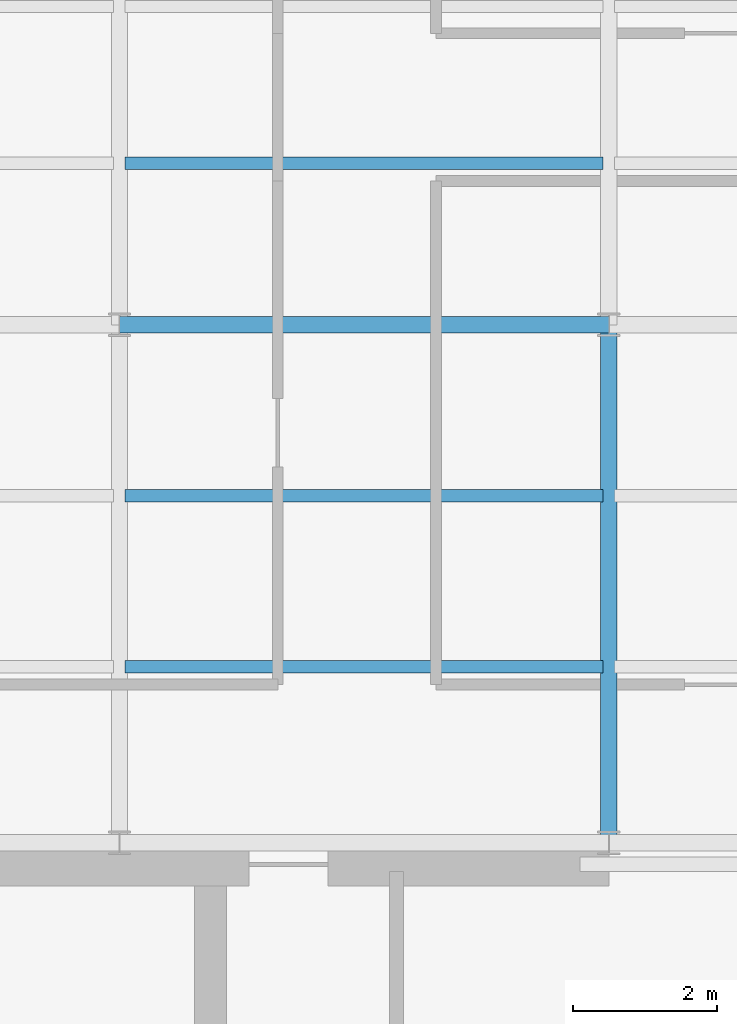
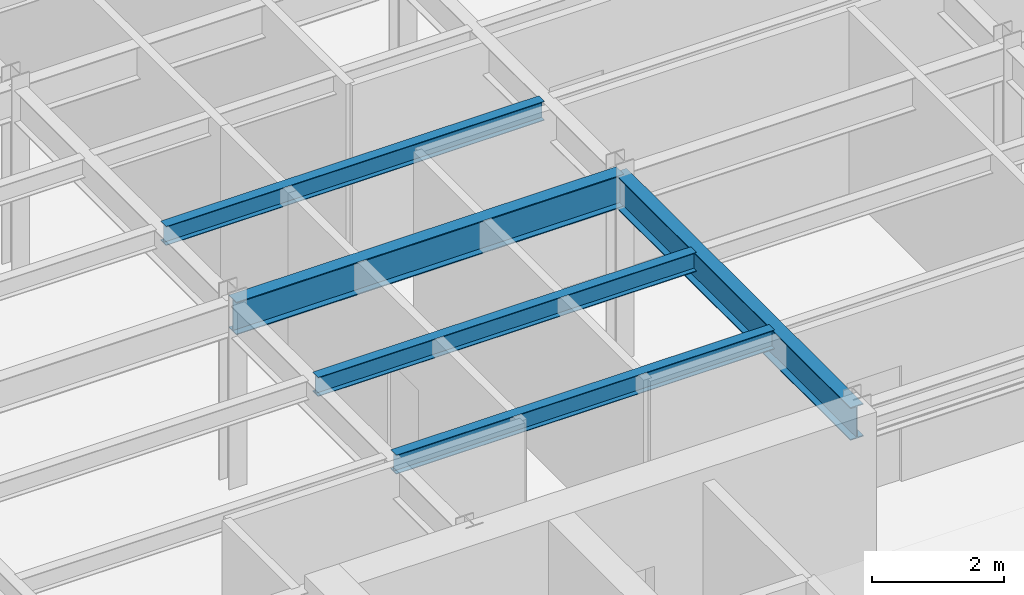
# One storey, part 6 of 22: 5 beams.
"""IFC4 building model written with IfcOpenShell, lengths in metres."""

from ifc_helpers import new_model, si_unit, derived_unit, direction, frame, origin, origin_2d, place, context, subcontext, project, spatial, i_section, extrude, source, transform, mapped, material, material_profile, profile_set, type_object, element, save


model = new_model("IFC4")

# Units and contexts
model_context = context("Model", 3, precision=1e-05, world=origin(), true_north=direction((0.0, 1.0)))
body_context = subcontext(model_context, "Body", "Model", "MODEL_VIEW")
ifc_project = project(units=[si_unit("LENGTHUNIT", "METRE"), si_unit("AREAUNIT", "SQUARE_METRE"), si_unit("VOLUMEUNIT", "CUBIC_METRE"), si_unit("PLANEANGLEUNIT", "RADIAN"), si_unit("MASSUNIT", "GRAM", prefix="KILO"), derived_unit("THERMALTRANSMITTANCEUNIT", [(si_unit("POWERUNIT", "WATT"), 1), (si_unit("LENGTHUNIT", "METRE"), -2), (si_unit("THERMODYNAMICTEMPERATUREUNIT", "KELVIN"), -1)])], contexts=[model_context])

# Site, building, storey
site_placement = place(None, origin())
site = spatial("IfcSite", under=ifc_project, at=site_placement, CompositionType="ELEMENT")
building_placement = place(site_placement, origin())
building = spatial("IfcBuilding", under=site, at=building_placement, Name="Skarnbrae Concourse Arena and Tower", CompositionType="ELEMENT")
storey_placement = place(building_placement, frame((0.0, 0.0, 210.5)))
storey = spatial("IfcBuildingStorey", under=building, at=storey_placement, Name="L54", CompositionType="ELEMENT", Elevation=210.5)

# Beams
ifc_material = material(Name="Steel CSA G40.21 350W", Category="steel")
ifc_material_profile_1 = material_profile(ifc_material, i_section(OverallWidth=0.22802734375, OverallDepth=0.60791015625, WebThickness=0.01123046875, FlangeThickness=0.017333984375, at=origin_2d()), Name="W610X113")
ifc_profile_set_1 = profile_set([ifc_material_profile_1], Name="Steel CSA G40.21 350W")
beam_type_1 = type_object("IfcBeamType", Name="BM-GIRD-W610X113", PredefinedType="BEAM", material=ifc_profile_set_1)
shared_shape_1 = source(origin(), body_context, "Body", "SweptSolid", [
    extrude(i_section(OverallWidth=0.22802734375, OverallDepth=0.60791015625, WebThickness=0.01123046875, FlangeThickness=0.017333984375, at=origin_2d()), origin(), (0.0, 0.0, 1.0), 6.7998046875),
])
beam_1_placement = place(storey_placement, frame((7.60009765625, 21.199951171875, 3.095947265625), z_axis=(1.0, 0.0, 0.0), x_axis=(0.0, 1.0, 0.0)))
element("IfcBeam", 1, at=beam_1_placement, inside=storey, type_object=beam_type_1, Name="L54 Primary E-W girder Y21.2-2", PredefinedType="BEAM", context=body_context, shape_type="MappedRepresentation", body=[
    mapped(shared_shape_1, transform((0.0, 0.0, 0.0))),
])
shared_shape_2 = source(origin(), body_context, "Body", "SweptSolid", [
    extrude(i_section(OverallWidth=0.22802734375, OverallDepth=0.60791015625, WebThickness=0.01123046875, FlangeThickness=0.017333984375, at=origin_2d()), origin(), (0.0, 0.0, 1.0), 7.199951171875),
])
beam_2_placement = place(storey_placement, frame((14.39990234375, 14.0, 3.095947265625), z_axis=(0.0, 1.0, 0.0), x_axis=(-1.0, 0.0, 0.0)))
element("IfcBeam", 2, at=beam_2_placement, inside=storey, type_object=beam_type_1, Name="L54 Primary N-S girder X14.4-1", PredefinedType="BEAM", context=body_context, shape_type="MappedRepresentation", body=[
    mapped(shared_shape_2, transform((0.0, 0.0, 0.0))),
])
ifc_material_profile_2 = material_profile(ifc_material, i_section(OverallWidth=0.1708984375, OverallDepth=0.35498046875, WebThickness=0.007080078125, FlangeThickness=0.01171875, at=origin_2d()), Name="W360X51")
ifc_profile_set_2 = profile_set([ifc_material_profile_2], Name="Steel CSA G40.21 350W")
beam_type_2 = type_object("IfcBeamType", Name="BM-JOIST-W360X51", PredefinedType="JOIST", material=ifc_profile_set_2)
shared_shape_3 = source(origin(), body_context, "Body", "SweptSolid", [
    extrude(i_section(OverallWidth=0.1708984375, OverallDepth=0.35498046875, WebThickness=0.007080078125, FlangeThickness=0.01171875, at=origin_2d()), origin(), (0.0, 0.0, 1.0), 6.64013671875),
])
for number, where, z_axis, x_axis, name in (
    (3, (7.679931640625, 16.447998046875, 3.222412109375), (1.0, 0.0, 0.0), (0.0, 1.0, 0.0), "L54 Secondary floor joist 1.1.2"),
    (4, (7.679931640625, 18.823974609375, 3.222412109375), (1.0, 0.0, 0.0), (0.0, 1.0, 0.0), "L54 Secondary floor joist 1.2.2"),
    (5, (7.679931640625, 23.444091796875, 3.222412109375), (1.0, 0.0, 0.0), (0.0, 1.0, 0.0), "L54 Secondary floor joist 2.1.2"),
):
    element("IfcBeam", number, at=place(storey_placement, frame(where, z_axis=z_axis, x_axis=x_axis)), inside=storey, type_object=beam_type_2, Name=name, PredefinedType="JOIST", context=body_context, shape_type="MappedRepresentation", body=[
        mapped(shared_shape_3, transform((0.0, 0.0, 0.0))),
    ])

save(model, "model.ifc")
